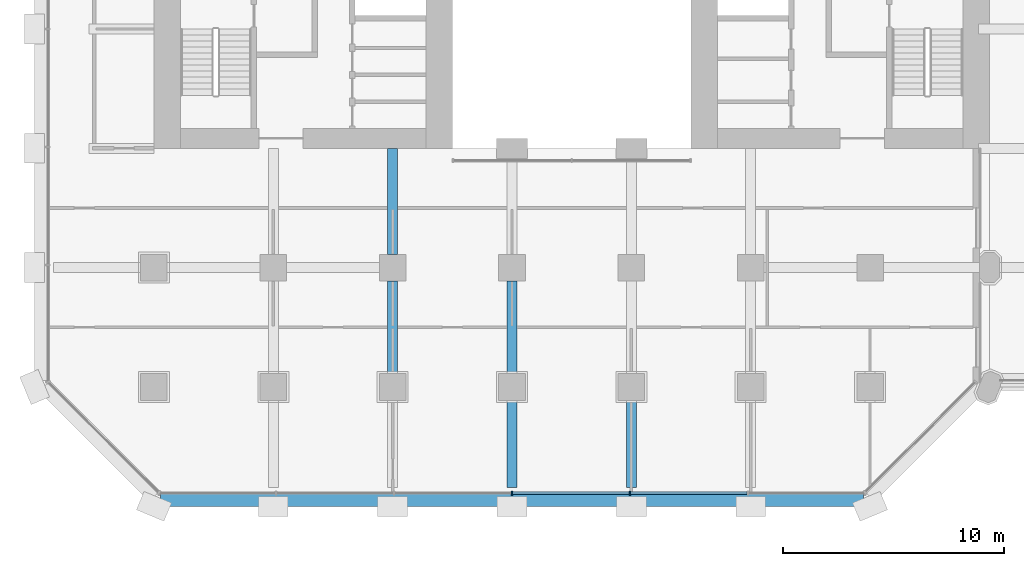
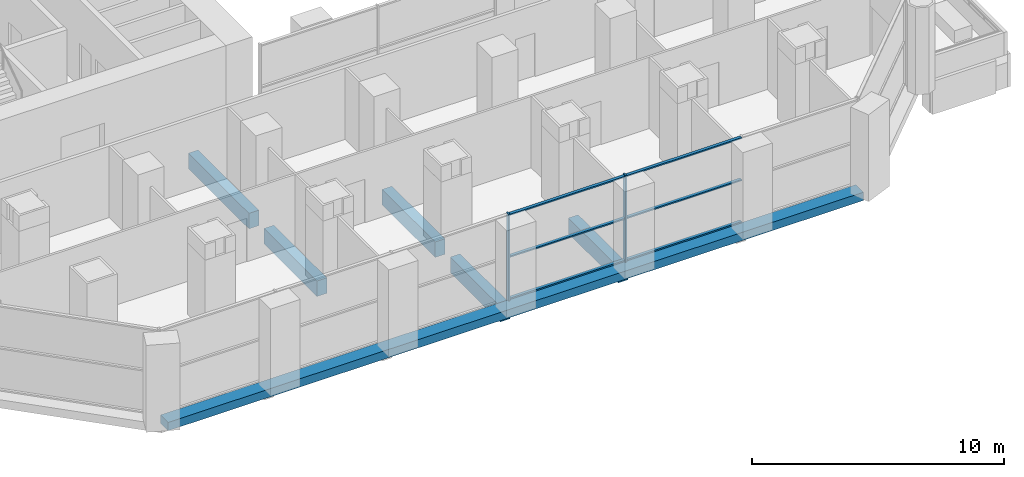
# One storey, part 3 of 23: 8 members, 6 beams, 1 element without a shape of its own.
"""IFC4 building model written with IfcOpenShell, lengths in metres."""

from ifc_helpers import new_model, si_unit, direction, frame, origin, origin_2d, place, context, subcontext, project, spatial, rectangle, extrude, material, material_profile, profile_set, type_object, element, aggregate, save


model = new_model("IFC4")

# Units and contexts
model_context = context("Model", 3, precision=1e-05, world=origin(), true_north=direction((0.0, 1.0)))
body_context = subcontext(model_context, "Body", "Model", "MODEL_VIEW")
ifc_project = project(units=[si_unit("LENGTHUNIT", "METRE"), si_unit("AREAUNIT", "SQUARE_METRE"), si_unit("VOLUMEUNIT", "CUBIC_METRE"), si_unit("PLANEANGLEUNIT", "RADIAN"), si_unit("MASSUNIT", "GRAM", prefix="KILO")], contexts=[model_context])

# Site, building, storey
site_placement = place(None, origin())
site = spatial("IfcSite", under=ifc_project, at=site_placement, CompositionType="ELEMENT")
building_placement = place(site_placement, origin())
building = spatial("IfcBuilding", under=site, at=building_placement, Name="Tabaq Tower and Sports Hall", CompositionType="ELEMENT")
storey_placement = place(building_placement, frame((0.0, 0.0, 29.10009765625)))
storey = spatial("IfcBuildingStorey", under=building, at=storey_placement, Name="L05", CompositionType="ELEMENT", Elevation=29.10009765625)

# Curtain wall, members
ifc_material_1 = material(Name="Aluminium alloy 6063-T6 framed glazing", Category="aluminium")
curtain_wall_type = type_object("IfcCurtainWallType", Name="CW7 curtain wall", PredefinedType="USERDEFINED", material=ifc_material_1)
curtain_wall_placement = place(storey_placement, origin())
curtain_wall = element("IfcCurtainWall", 1, at=curtain_wall_placement, inside=storey, type_object=curtain_wall_type, Name="Podium Wall L05 S", ObjectType="PODIUM WALL", PredefinedType="USERDEFINED")
ifc_material_2 = material(Name="Aluminium alloy 6063-T6", Category="aluminium")
ifc_material_profile_1 = material_profile(ifc_material_2, rectangle(XDim=0.179931640625, YDim=0.06494140625, at=origin_2d()), Name="MULLION 180x65")
ifc_profile_set_1 = profile_set([ifc_material_profile_1], Name="Aluminium alloy 6063-T6")
member_type_1 = type_object("IfcMemberType", Name="CW7 mullion 180x65", PredefinedType="MULLION", material=ifc_profile_set_1)
member_1_placement = place(storey_placement, frame((21.60009765625, 0.60009765625, 0.0), z_axis=(0.0, 0.0, 1.0), x_axis=(0.0, 1.0, 0.0)))
member_1 = element("IfcMember", 2, at=member_1_placement, type_object=member_type_1, Name="CW7 mullion 4", PredefinedType="MULLION", context=body_context, shape_type="SweptSolid", body=[
    extrude(rectangle(XDim=0.179931640625, YDim=0.06494140625, at=origin_2d()), origin(), (0.0, 0.0, 1.0), 4.199951171875),
])
member_2_placement = place(storey_placement, frame((26.93798828125, 0.60009765625, 0.0), z_axis=(0.0, 0.0, 1.0), x_axis=(0.0, 1.0, 0.0)))
member_2 = element("IfcMember", 3, at=member_2_placement, type_object=member_type_1, Name="CW7 mullion 5", PredefinedType="MULLION", context=body_context, shape_type="SweptSolid", body=[
    extrude(rectangle(XDim=0.179931640625, YDim=0.06494140625, at=origin_2d()), origin(), (0.0, 0.0, 1.0), 4.199951171875),
])
ifc_material_3 = material(Name="Aluminium alloy 6063-T6", Category="aluminium")
ifc_material_profile_2 = material_profile(ifc_material_3, rectangle(XDim=0.139892578125, YDim=0.06494140625, at=origin_2d()), Name="TRANSOM 140x65")
ifc_profile_set_2 = profile_set([ifc_material_profile_2], Name="Aluminium alloy 6063-T6")
member_type_2 = type_object("IfcMemberType", Name="CW7 transom 140x65", PredefinedType="USERDEFINED", material=ifc_profile_set_2)
member_3_placement = place(storey_placement, frame((21.632568359375, 0.60009765625, 0.06982421875), z_axis=(1.0, 0.0, 0.0), x_axis=(0.0, 1.0, 0.0)))
member_3 = element("IfcMember", 4, at=member_3_placement, type_object=member_type_2, Name="CW7 transom 4.1", ObjectType="TRANSOM", PredefinedType="USERDEFINED", context=body_context, shape_type="SweptSolid", body=[
    extrude(rectangle(XDim=0.139892578125, YDim=0.06494140625, at=origin_2d()), origin(), (0.0, 0.0, 1.0), 5.272705078125),
])
member_4_placement = place(storey_placement, frame((21.632568359375, 0.60009765625, 2.099853515625), z_axis=(1.0, 0.0, 0.0), x_axis=(0.0, 1.0, 0.0)))
member_4 = element("IfcMember", 5, at=member_4_placement, type_object=member_type_2, Name="CW7 transom 4.2", ObjectType="TRANSOM", PredefinedType="USERDEFINED", context=body_context, shape_type="SweptSolid", body=[
    extrude(rectangle(XDim=0.139892578125, YDim=0.06494140625, at=origin_2d()), origin(), (0.0, 0.0, 1.0), 5.272705078125),
])
member_5_placement = place(storey_placement, frame((21.632568359375, 0.60009765625, 4.1298828125), z_axis=(1.0, 0.0, 0.0), x_axis=(0.0, 1.0, 0.0)))
member_5 = element("IfcMember", 6, at=member_5_placement, type_object=member_type_2, Name="CW7 transom 4.3", ObjectType="TRANSOM", PredefinedType="USERDEFINED", context=body_context, shape_type="SweptSolid", body=[
    extrude(rectangle(XDim=0.139892578125, YDim=0.06494140625, at=origin_2d()), origin(), (0.0, 0.0, 1.0), 5.272705078125),
])
member_6_placement = place(storey_placement, frame((26.970458984375, 0.60009765625, 0.06982421875), z_axis=(1.0, 0.0, 0.0), x_axis=(0.0, 1.0, 0.0)))
member_6 = element("IfcMember", 7, at=member_6_placement, type_object=member_type_2, Name="CW7 transom 5.1", ObjectType="TRANSOM", PredefinedType="USERDEFINED", context=body_context, shape_type="SweptSolid", body=[
    extrude(rectangle(XDim=0.139892578125, YDim=0.06494140625, at=origin_2d()), origin(), (0.0, 0.0, 1.0), 5.272705078125),
])
member_7_placement = place(storey_placement, frame((26.970458984375, 0.60009765625, 2.099853515625), z_axis=(1.0, 0.0, 0.0), x_axis=(0.0, 1.0, 0.0)))
member_7 = element("IfcMember", 8, at=member_7_placement, type_object=member_type_2, Name="CW7 transom 5.2", ObjectType="TRANSOM", PredefinedType="USERDEFINED", context=body_context, shape_type="SweptSolid", body=[
    extrude(rectangle(XDim=0.139892578125, YDim=0.06494140625, at=origin_2d()), origin(), (0.0, 0.0, 1.0), 5.272705078125),
])
member_8_placement = place(storey_placement, frame((26.970458984375, 0.60009765625, 4.1298828125), z_axis=(1.0, 0.0, 0.0), x_axis=(0.0, 1.0, 0.0)))
member_8 = element("IfcMember", 9, at=member_8_placement, type_object=member_type_2, Name="CW7 transom 5.3", ObjectType="TRANSOM", PredefinedType="USERDEFINED", context=body_context, shape_type="SweptSolid", body=[
    extrude(rectangle(XDim=0.139892578125, YDim=0.06494140625, at=origin_2d()), origin(), (0.0, 0.0, 1.0), 5.272705078125),
])
aggregate(curtain_wall, [member_1, member_2, member_3, member_4, member_5, member_6, member_7, member_8])

# Beams
ifc_material_4 = material(Name="Concrete C40/50", Category="concrete")
ifc_material_profile_3 = material_profile(ifc_material_4, rectangle(XDim=0.449951171875, YDim=0.75, at=origin_2d()), Name="CB 450x750")
ifc_profile_set_3 = profile_set([ifc_material_profile_3], Name="Concrete C40/50")
beam_type_1 = type_object("IfcBeamType", Name="PT CANTILEVER BEAM CB 450x750 C40/50", PredefinedType="BEAM", material=ifc_profile_set_3)
beam_1_placement = place(storey_placement, frame((16.199951171875, 6.0, -0.775146484375), z_axis=(0.0, 1.0, 0.0), x_axis=(-1.0, 0.0, 0.0)))
element("IfcBeam", 10, at=beam_1_placement, inside=storey, type_object=beam_type_1, Name="Cantilever Beam L05 S3 span 2", PredefinedType="BEAM", context=body_context, shape_type="SweptSolid", body=[
    extrude(rectangle(XDim=0.449951171875, YDim=0.75, at=origin_2d()), origin(), (0.0, 0.0, 1.0), 4.199951171875),
])
beam_2_placement = place(storey_placement, frame((16.199951171875, 11.39990234375, -0.775146484375), z_axis=(0.0, 1.0, 0.0), x_axis=(-1.0, 0.0, 0.0)))
element("IfcBeam", 11, at=beam_2_placement, inside=storey, type_object=beam_type_1, Name="Cantilever Beam L05 S3 span 3", PredefinedType="BEAM", context=body_context, shape_type="SweptSolid", body=[
    extrude(rectangle(XDim=0.449951171875, YDim=0.75, at=origin_2d()), origin(), (0.0, 0.0, 1.0), 4.800048828125),
])
beam_3_placement = place(storey_placement, frame((21.60009765625, 0.85009765625, -0.775146484375), z_axis=(0.0, 1.0, 0.0), x_axis=(-1.0, 0.0, 0.0)))
element("IfcBeam", 12, at=beam_3_placement, inside=storey, type_object=beam_type_1, Name="Cantilever Beam L05 S4 span 1", PredefinedType="BEAM", context=body_context, shape_type="SweptSolid", body=[
    extrude(rectangle(XDim=0.449951171875, YDim=0.75, at=origin_2d()), origin(), (0.0, 0.0, 1.0), 3.949951171875),
])
beam_4_placement = place(storey_placement, frame((21.60009765625, 6.0, -0.775146484375), z_axis=(0.0, 1.0, 0.0), x_axis=(-1.0, 0.0, 0.0)))
element("IfcBeam", 13, at=beam_4_placement, inside=storey, type_object=beam_type_1, Name="Cantilever Beam L05 S4 span 2", PredefinedType="BEAM", context=body_context, shape_type="SweptSolid", body=[
    extrude(rectangle(XDim=0.449951171875, YDim=0.75, at=origin_2d()), origin(), (0.0, 0.0, 1.0), 4.199951171875),
])
beam_5_placement = place(storey_placement, frame((27.0, 0.85009765625, -0.775146484375), z_axis=(0.0, 1.0, 0.0), x_axis=(-1.0, 0.0, 0.0)))
element("IfcBeam", 14, at=beam_5_placement, inside=storey, type_object=beam_type_1, Name="Cantilever Beam L05 S5 span 1", PredefinedType="BEAM", context=body_context, shape_type="SweptSolid", body=[
    extrude(rectangle(XDim=0.449951171875, YDim=0.75, at=origin_2d()), origin(), (0.0, 0.0, 1.0), 3.949951171875),
])
ifc_material_5 = material(Name="Concrete C40/50", Category="concrete")
ifc_material_profile_4 = material_profile(ifc_material_5, rectangle(XDim=0.60009765625, YDim=0.39990234375, at=origin_2d()), Name="EB 600x400")
ifc_profile_set_4 = profile_set([ifc_material_profile_4], Name="Concrete C40/50")
beam_type_2 = type_object("IfcBeamType", Name="PT EDGE BEAM EB 600x400 C40/50", PredefinedType="SPANDREL", material=ifc_profile_set_4)
beam_6_placement = place(storey_placement, frame((5.698486328125, 0.300048828125, -0.2001953125), z_axis=(1.0, 0.0, 0.0), x_axis=(0.0, 1.0, 0.0)))
element("IfcBeam", 15, at=beam_6_placement, inside=storey, type_object=beam_type_2, Name="Edge Beam L05 1", PredefinedType="SPANDREL", context=body_context, shape_type="SweptSolid", body=[
    extrude(rectangle(XDim=0.60009765625, YDim=0.39990234375, at=origin_2d()), origin(), (0.0, 0.0, 1.0), 31.802978515625),
])

save(model, "model.ifc")
